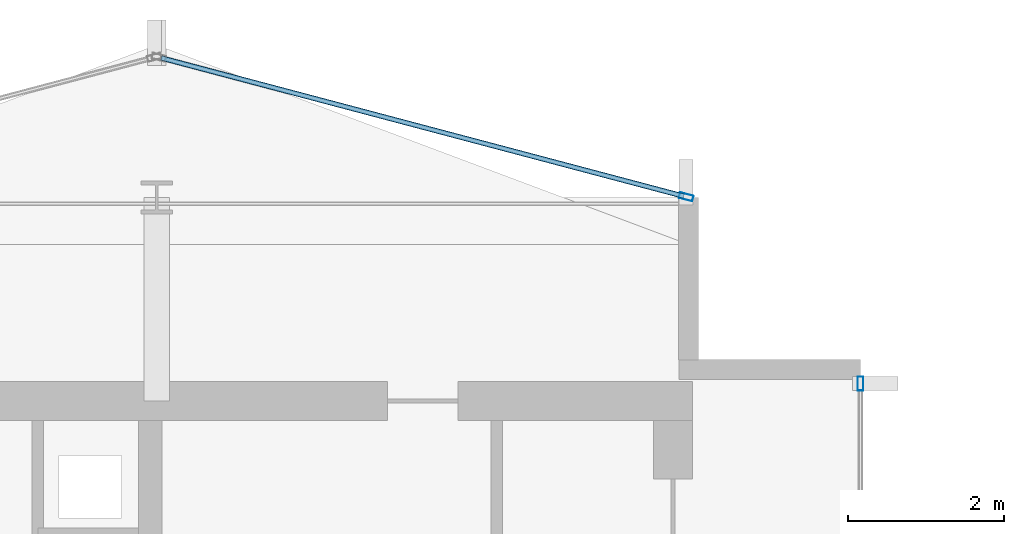
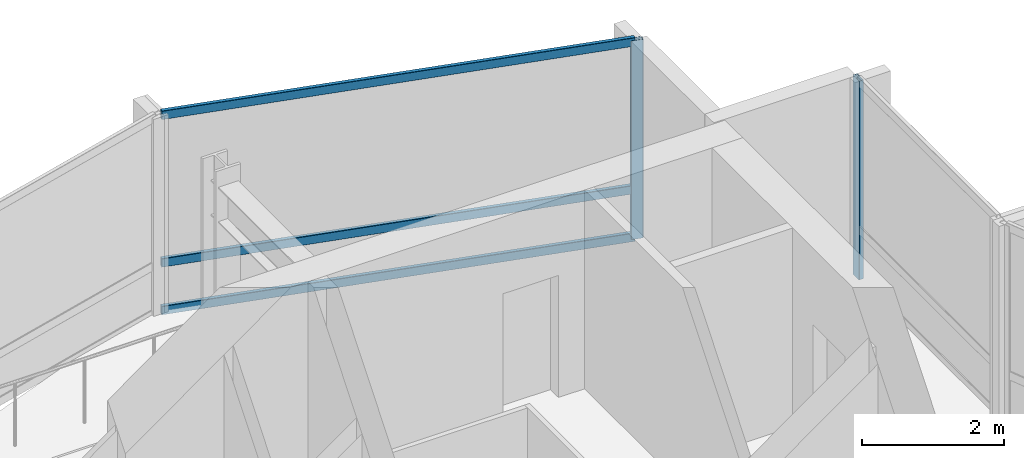
# One storey, part 18 of 27: 5 members, 2 elements without a shape of their own.
"""IFC4 building model written with IfcOpenShell, lengths in metres."""

from ifc_helpers import new_model, si_unit, direction, frame, origin, origin_2d, place, context, subcontext, project, spatial, hollow_rectangle, extrude, material, layer, layer_set, material_profile, profile_set, type_object, element, aggregate, save


model = new_model("IFC4")

# Units and contexts
model_context = context("Model", 3, precision=1e-05, world=origin(), true_north=direction((0.0, 1.0)))
body_context = subcontext(model_context, "Body", "Model", "MODEL_VIEW")
ifc_project = project(units=[si_unit("LENGTHUNIT", "METRE"), si_unit("AREAUNIT", "SQUARE_METRE"), si_unit("VOLUMEUNIT", "CUBIC_METRE"), si_unit("PLANEANGLEUNIT", "RADIAN"), si_unit("MASSUNIT", "GRAM", prefix="KILO")], contexts=[model_context])

# Site, building, storey
site_placement = place(None, origin())
site = spatial("IfcSite", under=ifc_project, at=site_placement, CompositionType="ELEMENT")
building_placement = place(site_placement, origin())
building = spatial("IfcBuilding", under=site, at=building_placement, Name="Solvaryn Broadcast Tower", CompositionType="ELEMENT")
storey_placement = place(building_placement, frame((0.0, 0.0, 174.199951171875)))
storey = spatial("IfcBuildingStorey", under=building, at=storey_placement, Name="L43", CompositionType="ELEMENT", Elevation=174.199951171875)

# Curtain wall, member
ifc_material_1 = material(Name="Aluminium and Terracotta Unitised Curtain Wall", Category="masonry")
ifc_layer = layer(ifc_material_1, 0.199951171875)
ifc_layer_set = layer_set([ifc_layer], Name="CW-SYS2-LOWMID")
curtain_wall_type = type_object("IfcCurtainWallType", Name="CW-SYS2-LOWMID", PredefinedType="NOTDEFINED", material=ifc_layer_set)
curtain_wall_1_placement = place(storey_placement, origin())
curtain_wall_1 = element("IfcCurtainWall", 1, at=curtain_wall_1_placement, inside=storey, type_object=curtain_wall_type, Name="L43 Curtain Wall IV", PredefinedType="NOTDEFINED")
ifc_material_2 = material(Name="Anodised Aluminium 6063-T6", Category="aluminium")
ifc_material_profile_1 = material_profile(ifc_material_2, hollow_rectangle(XDim=0.074951171875, YDim=0.179931640625, WallThickness=0.00390625, InnerFilletRadius=0.00390625, OuterFilletRadius=0.008056640625, at=origin_2d()))
ifc_profile_set_1 = profile_set([ifc_material_profile_1], Name="Anodised Aluminium 6063-T6")
member_type_1 = type_object("IfcMemberType", Name="CW-MUL-180", PredefinedType="MULLION", material=ifc_profile_set_1)
member_1_placement = place(storey_placement, frame((27.0, 42.6201171875, 0.0), z_axis=(0.0, 0.0, 1.0), x_axis=(1.0, 0.0, 0.0)))
member_1 = element("IfcMember", 2, at=member_1_placement, type_object=member_type_1, Name="CWS2 mullion 1", PredefinedType="MULLION", context=body_context, shape_type="SweptSolid", body=[
    extrude(hollow_rectangle(XDim=0.074951171875, YDim=0.179931640625, WallThickness=0.00390625, InnerFilletRadius=0.00390625, OuterFilletRadius=0.008056640625, at=origin_2d()), origin(), (0.0, 0.0, 1.0), 3.420166015625),
])
aggregate(curtain_wall_1, [member_1])

# Curtain wall, members
curtain_wall_2_placement = place(storey_placement, origin())
curtain_wall_2 = element("IfcCurtainWall", 3, at=curtain_wall_2_placement, inside=storey, type_object=curtain_wall_type, Name="L43 Curtain Wall NT1", PredefinedType="NOTDEFINED")
member_2_placement = place(storey_placement, frame((24.77099609375, 45.007568359375, 0.0), z_axis=(0.0, 0.0, 1.0), x_axis=(-0.25589256031, -0.966705227863, 0.0)))
member_2 = element("IfcMember", 4, at=member_2_placement, type_object=member_type_1, Name="CWS2 mullion 1", PredefinedType="MULLION", context=body_context, shape_type="SweptSolid", body=[
    extrude(hollow_rectangle(XDim=0.074951171875, YDim=0.179931640625, WallThickness=0.00390625, InnerFilletRadius=0.00390625, OuterFilletRadius=0.008056640625, at=origin_2d()), origin(), (0.0, 0.0, 1.0), 3.420166015625),
])
ifc_material_3 = material(Name="Anodised Aluminium 6063-T6", Category="aluminium")
ifc_material_profile_2 = material_profile(ifc_material_3, hollow_rectangle(XDim=0.06494140625, YDim=0.14990234375, WallThickness=0.00390625, InnerFilletRadius=0.00390625, OuterFilletRadius=0.008056640625, at=origin_2d()))
ifc_profile_set_2 = profile_set([ifc_material_profile_2], Name="Anodised Aluminium 6063-T6")
member_type_2 = type_object("IfcMemberType", Name="CW-TRN-150", PredefinedType="USERDEFINED", material=ifc_profile_set_2)
member_3_placement = place(storey_placement, frame((24.741943359375, 45.015380859375, 0.030029296875), z_axis=(-0.966703943301, 0.255897413051, 0.0), x_axis=(-0.255897413051, -0.966703943301, 0.0)))
member_3 = element("IfcMember", 5, at=member_3_placement, type_object=member_type_2, Name="CWS2 transom 1.1", ObjectType="TRANSOM", PredefinedType="USERDEFINED", context=body_context, shape_type="SweptSolid", body=[
    extrude(hollow_rectangle(XDim=0.06494140625, YDim=0.14990234375, WallThickness=0.00390625, InnerFilletRadius=0.00390625, OuterFilletRadius=0.008056640625, at=origin_2d()), origin(), (0.0, 0.0, 1.0), 6.9140625),
])
member_4_placement = place(storey_placement, frame((24.741943359375, 45.015380859375, 0.85009765625), z_axis=(-0.966703943301, 0.255897413051, 0.0), x_axis=(-0.255897413051, -0.966703943301, 0.0)))
member_4 = element("IfcMember", 6, at=member_4_placement, type_object=member_type_2, Name="CWS2 transom 1.2", ObjectType="TRANSOM", PredefinedType="USERDEFINED", context=body_context, shape_type="SweptSolid", body=[
    extrude(hollow_rectangle(XDim=0.06494140625, YDim=0.14990234375, WallThickness=0.00390625, InnerFilletRadius=0.00390625, OuterFilletRadius=0.008056640625, at=origin_2d()), origin(), (0.0, 0.0, 1.0), 6.9140625),
])
member_5_placement = place(storey_placement, frame((24.741943359375, 45.015380859375, 3.39013671875), z_axis=(-0.966703943301, 0.255897413051, 0.0), x_axis=(-0.255897413051, -0.966703943301, 0.0)))
member_5 = element("IfcMember", 7, at=member_5_placement, type_object=member_type_2, Name="CWS2 transom 1.3", ObjectType="TRANSOM", PredefinedType="USERDEFINED", context=body_context, shape_type="SweptSolid", body=[
    extrude(hollow_rectangle(XDim=0.06494140625, YDim=0.14990234375, WallThickness=0.00390625, InnerFilletRadius=0.00390625, OuterFilletRadius=0.008056640625, at=origin_2d()), origin(), (0.0, 0.0, 1.0), 6.9140625),
])
aggregate(curtain_wall_2, [member_2, member_3, member_4, member_5])

save(model, "model.ifc")
